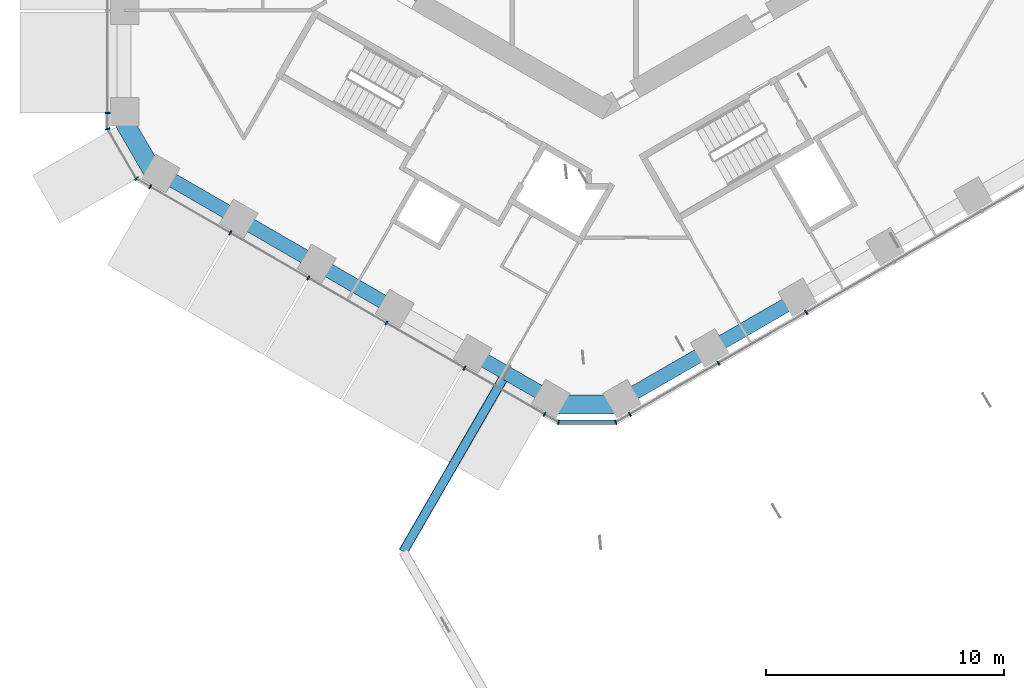
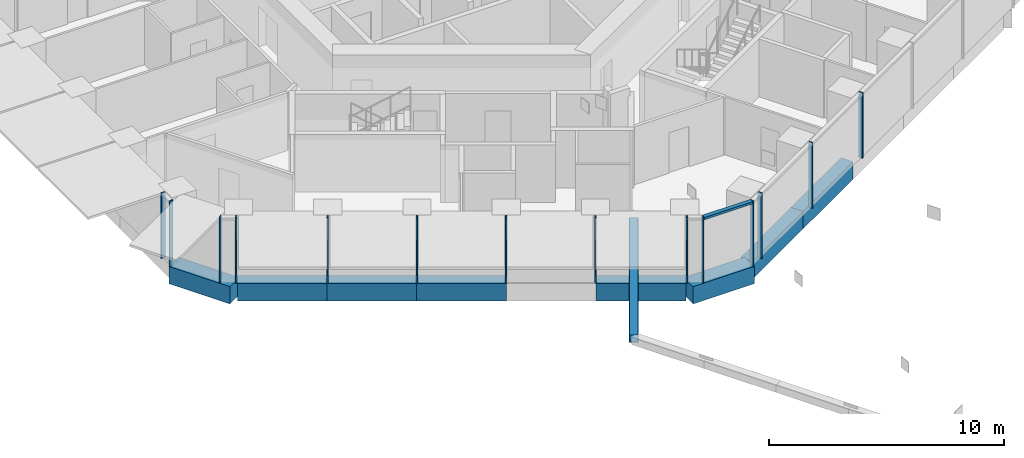
# One storey, part 2 of 22: 16 members, 8 beams, 5 elements without a shape of their own.
"""IFC4 building model written with IfcOpenShell, lengths in metres."""

import ifcopenshell
import ifcopenshell.guid

model = None  # the IFC model being written
_history = None  # IfcOwnerHistory: only IFC2X3 demands one
_inside = {}  # id of a spatial element -> (the spatial element, [elements in it])
_under = {}  # id of a project, library or spatial element -> (it, [spatial elements below it])
_declared = {}  # id of a project -> (the project, [libraries it declares])
_typed = {}  # id of a type object -> (the type object, [elements of that type])
_made_of = {}  # id of a material, layer set ... -> (it, [elements and type objects made of it])


def new_model(schema):
    """Start an empty IFC model of exactly this schema.

    Asked for "IFC4X3", IfcOpenShell would pick the latest addendum, in which some entities
    have other attributes; the version numbers below select the first issue.
    IFC2X3 requires an IfcOwnerHistory on every rooted entity: one is made here for all.
    """
    global model, _history
    if schema == "IFC4X3":
        model = ifcopenshell.file(schema_version=(4, 3, 0, 0))
    else:
        model = ifcopenshell.file(schema=schema)
    _inside.clear()
    _under.clear()
    _declared.clear()
    _typed.clear()
    _made_of.clear()
    _history = None
    if model.schema == "IFC2X3":
        org = make("IfcOrganization", Name="unknown")
        user = make(
            "IfcPersonAndOrganization",
            ThePerson=make("IfcPerson", FamilyName="unknown"),
            TheOrganization=org,
        )
        app = make(
            "IfcApplication",
            ApplicationDeveloper=org,
            Version="unknown",
            ApplicationFullName="unknown",
            ApplicationIdentifier="unknown",
        )
        _history = make(
            "IfcOwnerHistory",
            OwningUser=user,
            OwningApplication=app,
            ChangeAction="ADDED",
            CreationDate=0,
        )
    return model


def make(cls, **values):
    """One entity of the class cls with the attributes given. An attribute that is None is left unset."""
    return model.create_entity(
        cls, **{name: value for name, value in values.items() if value is not None}
    )


def rooted(cls, **values):
    """An entity with a GlobalId (a new one), such as an element, a storey or a relation."""
    return make(cls, GlobalId=ifcopenshell.guid.new(), OwnerHistory=_history, **values)


def si_unit(unit_type, name, prefix=None):
    """IfcSIUnit, for example si_unit("LENGTHUNIT", "METRE", prefix="MILLI")."""
    return make("IfcSIUnit", UnitType=unit_type, Prefix=prefix, Name=name)


def assignment(units):
    """IfcUnitAssignment: the units of a project."""
    return None if units is None else make("IfcUnitAssignment", Units=units)


def point(xyz):
    """IfcCartesianPoint."""
    return None if xyz is None else make("IfcCartesianPoint", Coordinates=xyz)


def direction(xyz):
    """IfcDirection."""
    return None if xyz is None else make("IfcDirection", DirectionRatios=xyz)


def frame(location, z_axis=None, x_axis=None):
    """IfcAxis2Placement3D, a coordinate frame: its origin and axes. An axis left out is left unset."""
    return make(
        "IfcAxis2Placement3D",
        Location=point(location),
        Axis=direction(z_axis),
        RefDirection=direction(x_axis),
    )


def frame_2d(location, x_axis=None):
    """IfcAxis2Placement2D, a coordinate frame in the plane: its origin and x axis."""
    return make(
        "IfcAxis2Placement2D", Location=point(location), RefDirection=direction(x_axis)
    )


def origin():
    """The frame at (0, 0, 0) with its axes left unset."""
    return frame((0.0, 0.0, 0.0))


def origin_2d():
    """The frame at (0, 0) in the plane with its x axis left unset."""
    return frame_2d((0.0, 0.0))


def place(relative_to, where):
    """IfcLocalPlacement: puts the frame where relative to a parent placement (None: the world)."""
    return make(
        "IfcLocalPlacement", PlacementRelTo=relative_to, RelativePlacement=where
    )


def context(
    kind, dimensions, precision=None, world=None, true_north=None, identifier=None
):
    """IfcGeometricRepresentationContext, for example the 3D "Model" context."""
    return make(
        "IfcGeometricRepresentationContext",
        ContextIdentifier=identifier,
        ContextType=kind,
        CoordinateSpaceDimension=dimensions,
        Precision=precision,
        WorldCoordinateSystem=world,
        TrueNorth=true_north,
    )


def subcontext(parent, identifier, kind, view, scale=None):
    """IfcGeometricRepresentationSubContext, for example "Body" below "Model"."""
    return make(
        "IfcGeometricRepresentationSubContext",
        ContextIdentifier=identifier,
        ContextType=kind,
        ParentContext=parent,
        TargetScale=scale,
        TargetView=view,
    )


def project(units=None, contexts=None):
    """IfcProject with its units and contexts."""
    return rooted(
        "IfcProject",
        Name="project",
        RepresentationContexts=contexts,
        UnitsInContext=assignment(units),
    )


def spatial(cls, under=None, at=None, **own):
    """A site, building, storey or space (cls), placed at a placement, below another one or the project."""
    s = rooted(cls, ObjectPlacement=at, **own)
    if under is not None:
        _under.setdefault(under.id(), (under, []))[1].append(s)
    return s


def profile(cls, at=None, kind="AREA", **sizes):
    """A parametric profile (cls). Its sizes go by their IFC names, for example OverallWidth=200.0."""
    return make(cls, ProfileType=kind, Position=at, **sizes)


def rectangle(**sizes):
    """IfcRectangleProfileDef."""
    return profile("IfcRectangleProfileDef", **sizes)


def hollow_rectangle(**sizes):
    """IfcRectangleHollowProfileDef."""
    return profile("IfcRectangleHollowProfileDef", **sizes)


def extrude(swept, where, along, depth):
    """IfcExtrudedAreaSolid: the profile swept, set in the frame where, extruded along a direction by depth."""
    return make(
        "IfcExtrudedAreaSolid",
        SweptArea=swept,
        Position=where,
        ExtrudedDirection=direction(along),
        Depth=depth,
    )


def shape(context_of_items, identifier, shape_type, items):
    """IfcShapeRepresentation: the items that make up one representation, for example the "Body"."""
    return make(
        "IfcShapeRepresentation",
        ContextOfItems=context_of_items,
        RepresentationIdentifier=identifier,
        RepresentationType=shape_type,
        Items=items,
    )


def material(Name=None, Category=None):
    """IfcMaterial."""
    return make("IfcMaterial", Name=Name, Category=Category)


def layer(
    of_material, thickness, ventilated=None, Name=None, Category=None, Priority=None
):
    """IfcMaterialLayer: one layer of a wall or slab, of a material (None: an air gap)."""
    return make(
        "IfcMaterialLayer",
        Material=of_material,
        LayerThickness=thickness,
        IsVentilated=ventilated,
        Name=Name,
        Category=Category,
        Priority=Priority,
    )


def layer_set(layers, Name=None):
    """IfcMaterialLayerSet."""
    return make("IfcMaterialLayerSet", MaterialLayers=layers, LayerSetName=Name)


def material_profile(
    of_material, cross_section, Name=None, Category=None, Priority=None
):
    """IfcMaterialProfile: a cross section and its material."""
    return make(
        "IfcMaterialProfile",
        Name=Name,
        Material=of_material,
        Profile=cross_section,
        Priority=Priority,
        Category=Category,
    )


def profile_set(profiles, Name=None, composite=None):
    """IfcMaterialProfileSet."""
    return make(
        "IfcMaterialProfileSet",
        Name=Name,
        MaterialProfiles=profiles,
        CompositeProfile=composite,
    )


def made_of(thing, what):
    """Note that an element or type object is made of a material, layer set ...; save() writes the relation."""
    if what is not None:
        _made_of.setdefault(what.id(), (what, []))[1].append(thing)
    return thing


def type_object(cls, material=None, **own):
    """A type object (cls), such as IfcWallType, which elements share."""
    return made_of(rooted(cls, **own), material)


def element(
    cls,
    number,
    at=None,
    inside=None,
    cuts=None,
    type_object=None,
    material=None,
    context=None,
    identifier="Body",
    shape_type=None,
    held_by="IfcProductDefinitionShape",
    body=None,
    shapes=None,
    **own,
):
    """One element of the class cls, such as IfcWall. Its Tag is "e" and its number.

    at: its placement. inside: the storey or other place that contains it. cuts: it is an
    opening in that element (IfcRelVoidsElement). A single representation is given by context,
    identifier, shape_type and body (its items); several are given by shapes. held_by: the class
    of the entity that holds the representations. save() writes the other relations.
    """
    e = rooted(cls, Tag="e%d" % number, ObjectPlacement=at, **own)
    if body is not None:
        shapes = [shape(context, identifier, shape_type, body)]
    if shapes is not None:
        e.Representation = make(held_by, Representations=shapes)
    if inside is not None:
        _inside.setdefault(inside.id(), (inside, []))[1].append(e)
    if cuts is not None:
        rooted(
            "IfcRelVoidsElement", RelatingBuildingElement=cuts, RelatedOpeningElement=e
        )
    if type_object is not None:
        _typed.setdefault(type_object.id(), (type_object, []))[1].append(e)
    return made_of(e, material)


def aggregate(whole, parts):
    """IfcRelAggregates: a whole, such as a stair, and the parts it consists of."""
    return rooted("IfcRelAggregates", RelatingObject=whole, RelatedObjects=parts)


def save(model, path):
    """Write the relations noted so far, then the file.

    IfcRelAggregates (storeys below a building ...), IfcRelContainedInSpatialStructure (elements
    in a storey), IfcRelDefinesByType, IfcRelAssociatesMaterial and IfcRelDeclares: one each for
    every whole, place, type object, material and project.
    """
    for whole, parts in _under.values():
        aggregate(whole, parts)
    for where, things in _inside.values():
        rooted(
            "IfcRelContainedInSpatialStructure",
            RelatedElements=things,
            RelatingStructure=where,
        )
    for kind, things in _typed.values():
        rooted("IfcRelDefinesByType", RelatedObjects=things, RelatingType=kind)
    for what, things in _made_of.values():
        rooted("IfcRelAssociatesMaterial", RelatedObjects=things, RelatingMaterial=what)
    for by, libraries in _declared.values():
        rooted("IfcRelDeclares", RelatingContext=by, RelatedDefinitions=libraries)
    model.write(path)


model = new_model("IFC4")

# Units and contexts
model_context = context("Model", 3, precision=1e-05, world=origin(), true_north=direction((0.0, 1.0)))
body_context = subcontext(model_context, "Body", "Model", "MODEL_VIEW")
ifc_project = project(units=[si_unit("LENGTHUNIT", "METRE"), si_unit("AREAUNIT", "SQUARE_METRE"), si_unit("VOLUMEUNIT", "CUBIC_METRE"), si_unit("PLANEANGLEUNIT", "RADIAN"), si_unit("MASSUNIT", "GRAM", prefix="KILO")], contexts=[model_context])

# Site, building, storey
site_placement = place(None, origin())
site = spatial("IfcSite", under=ifc_project, at=site_placement, CompositionType="ELEMENT")
building_placement = place(site_placement, origin())
building = spatial("IfcBuilding", under=site, at=building_placement, Name="Ayvan Gate Tower", CompositionType="ELEMENT")
storey_placement = place(building_placement, frame((0.0, 0.0, 62.89990234375)))
storey = spatial("IfcBuildingStorey", under=building, at=storey_placement, Name="L16", CompositionType="ELEMENT", Elevation=62.89990234375)

# Beams
ifc_material_1 = material(Name="Concrete C40/50", Category="concrete")
ifc_material_profile_1 = material_profile(ifc_material_1, rectangle(XDim=0.800048828125, YDim=0.89990234375, at=origin_2d()), Name="RC 800x900")
ifc_profile_set_1 = profile_set([ifc_material_profile_1], Name="Concrete C40/50")
beam_type_1 = type_object("IfcBeamType", Name="Corner spandrel beam RC 800x900 C40/50", PredefinedType="BEAM", material=ifc_profile_set_1)
for number, where, z_axis, x_axis, name in (
    (1, (-20.336181640625, -10.746826171875, -0.7998046875), (0.499990139034, -0.866031096941, 0.0), (0.866031096941, 0.499990139034, 0.0), "SB-L16-24"),
    (2, (-2.138916015625, -22.985107421875, -0.7998046875), (1.0, 0.0, 0.0), (0.0, 1.0, 0.0), "SB-L16-30"),
):
    element("IfcBeam", number, at=place(storey_placement, frame(where, z_axis=z_axis, x_axis=x_axis)), inside=storey, type_object=beam_type_1, Name=name, PredefinedType="BEAM", context=body_context, shape_type="SweptSolid", body=[
        extrude(rectangle(XDim=0.800048828125, YDim=0.89990234375, at=origin_2d()), origin(), (0.0, 0.0, 1.0), 3.0),
    ])

# Member
ifc_material_2 = material(Name="Steel S460NH", Category="steel")
ifc_material_profile_2 = material_profile(ifc_material_2, hollow_rectangle(XDim=0.39990234375, YDim=0.39990234375, WallThickness=0.02001953125, InnerFilletRadius=0.02001953125, OuterFilletRadius=0.030029296875, at=origin_2d()), Name="RHS 400x400x20")
ifc_profile_set_2 = profile_set([ifc_material_profile_2], Name="Steel S460NH")
member_type_1 = type_object("IfcMemberType", Name="Sky bar truss brace B1 RHS 400x400x20", PredefinedType="BRACE", material=ifc_profile_set_2)
member_1_placement = place(storey_placement, frame((-4.051513671875, -21.660888671875, 2.650146484375), z_axis=(-0.500005737994, -0.866022090927, 0.0), x_axis=(0.866022090927, -0.500005737994, 0.0)))
element("IfcMember", 3, at=member_1_placement, inside=storey, type_object=member_type_1, Name="SBX1-B-BC-1", PredefinedType="CHORD", context=body_context, shape_type="SweptSolid", body=[
    extrude(hollow_rectangle(XDim=0.39990234375, YDim=0.39990234375, WallThickness=0.02001953125, InnerFilletRadius=0.02001953125, OuterFilletRadius=0.030029296875, at=origin_2d()), origin(), (0.0, 0.0, 1.0), 8.6787109375),
])

# Beams
ifc_material_profile_3 = material_profile(ifc_material_1, rectangle(XDim=0.60009765625, YDim=0.89990234375, at=origin_2d()), Name="RC 600x900")
ifc_profile_set_3 = profile_set([ifc_material_profile_3], Name="Concrete C40/50")
beam_type_2 = type_object("IfcBeamType", Name="Spandrel beam RC 600x900 C40/50", PredefinedType="BEAM", material=ifc_profile_set_3)
beam_1_placement = place(storey_placement, frame((-18.645751953125, -13.23486328125, -0.7998046875), z_axis=(0.86602347193, -0.500003346055, 0.0), x_axis=(0.500003346055, 0.86602347193, 0.0)))
element("IfcBeam", 4, at=beam_1_placement, inside=storey, type_object=beam_type_2, Name="SB-L16-25", PredefinedType="BEAM", context=body_context, shape_type="SweptSolid", body=[
    extrude(rectangle(XDim=0.60009765625, YDim=0.89990234375, at=origin_2d()), origin(), (0.0, 0.0, 1.0), 3.81201171875),
])
beam_2_placement = place(storey_placement, frame((-15.344482421875, -15.140869140625, -0.7998046875), z_axis=(0.866039482191, -0.499975614691, 0.0), x_axis=(0.499975614691, 0.866039482191, 0.0)))
element("IfcBeam", 5, at=beam_2_placement, inside=storey, type_object=beam_type_2, Name="SB-L16-26", PredefinedType="BEAM", context=body_context, shape_type="SweptSolid", body=[
    extrude(rectangle(XDim=0.60009765625, YDim=0.89990234375, at=origin_2d()), origin(), (0.0, 0.0, 1.0), 3.812255859375),
])
for number, where, z_axis, x_axis, name in (
    (6, (-12.04296875, -17.046875, -0.7998046875), (0.86599573884, -0.500051377671, 0.0), (0.500051377671, 0.86599573884, 0.0), "SB-L16-27"),
    (7, (-5.440185546875, -20.859130859375, -0.7998046875), (0.86602347193, -0.500003346055, 0.0), (0.500003346055, 0.86602347193, 0.0), "SB-L16-29"),
):
    element("IfcBeam", number, at=place(storey_placement, frame(where, z_axis=z_axis, x_axis=x_axis)), inside=storey, type_object=beam_type_2, Name=name, PredefinedType="BEAM", context=body_context, shape_type="SweptSolid", body=[
        extrude(rectangle(XDim=0.60009765625, YDim=0.89990234375, at=origin_2d()), origin(), (0.0, 0.0, 1.0), 3.81201171875),
    ])
beam_3_placement = place(storey_placement, frame((0.861083984375, -22.76513671875, -0.7998046875), z_axis=(0.866024102175, 0.500002254446, 0.0), x_axis=(-0.500002254446, 0.866024102175, 0.0)))
element("IfcBeam", 8, at=beam_3_placement, inside=storey, type_object=beam_type_2, Name="SB-L16-31", PredefinedType="BEAM", context=body_context, shape_type="SweptSolid", body=[
    extrude(rectangle(XDim=0.60009765625, YDim=0.89990234375, at=origin_2d()), origin(), (0.0, 0.0, 1.0), 4.2548828125),
])
beam_4_placement = place(storey_placement, frame((4.5458984375, -20.6376953125, -0.7998046875), z_axis=(0.866034603873, 0.49998406464, 0.0), x_axis=(-0.49998406464, 0.866034603873, 0.0)))
element("IfcBeam", 9, at=beam_4_placement, inside=storey, type_object=beam_type_2, Name="SB-L16-32", PredefinedType="BEAM", context=body_context, shape_type="SweptSolid", body=[
    extrude(rectangle(XDim=0.60009765625, YDim=0.89990234375, at=origin_2d()), origin(), (0.0, 0.0, 1.0), 4.254638671875),
])

# Curtain wall, member
ifc_material_3 = material(Name="Bronze anodised aluminium", Category="aluminium")
ifc_layer_1 = layer(ifc_material_3, 0.199951171875)
ifc_layer_set_1 = layer_set([ifc_layer_1], Name="Bronze anodised aluminium")
curtain_wall_type_1 = type_object("IfcCurtainWallType", Name="Stick curtain wall CW-1", PredefinedType="NOTDEFINED", material=ifc_layer_set_1)
curtain_wall_1_placement = place(storey_placement, origin())
curtain_wall_1 = element("IfcCurtainWall", 10, at=curtain_wall_1_placement, inside=storey, type_object=curtain_wall_type_1, Name="Stick curtain wall CW-1 L16", PredefinedType="NOTDEFINED")
ifc_material_profile_4 = material_profile(ifc_material_3, rectangle(XDim=0.199951171875, YDim=0.06005859375, at=origin_2d()), Name="Stick curtain wall CW-1 mullion 200 x 60")
ifc_profile_set_4 = profile_set([ifc_material_profile_4], Name="Bronze anodised aluminium")
member_type_2 = type_object("IfcMemberType", Name="Stick curtain wall CW-1 mullion 200 x 60", PredefinedType="MULLION", material=ifc_profile_set_4)
member_2_placement = place(storey_placement, frame((-20.831787109375, -10.70703125, 0.0), z_axis=(0.0, 0.0, 1.0), x_axis=(-1.0, 0.0, 0.0)))
member_2 = element("IfcMember", 11, at=member_2_placement, type_object=member_type_2, Name="CW-1 mullion 6", PredefinedType="MULLION", context=body_context, shape_type="SweptSolid", body=[
    extrude(rectangle(XDim=0.199951171875, YDim=0.06005859375, at=origin_2d()), origin(), (0.0, 0.0, 1.0), 3.400146484375),
])
aggregate(curtain_wall_1, [member_2])

# Curtain wall, members
curtain_wall_2_placement = place(storey_placement, origin())
curtain_wall_2 = element("IfcCurtainWall", 12, at=curtain_wall_2_placement, inside=storey, type_object=curtain_wall_type_1, Name="Stick curtain wall CW-1 L16", PredefinedType="NOTDEFINED")
member_3_placement = place(storey_placement, frame((-19.03564453125, -13.818115234375, 0.0), z_axis=(0.0, 0.0, 1.0), x_axis=(-0.5, -0.866025403784, 0.0)))
member_3 = element("IfcMember", 13, at=member_3_placement, type_object=member_type_2, Name="CW-1 mullion 1", PredefinedType="MULLION", context=body_context, shape_type="SweptSolid", body=[
    extrude(rectangle(XDim=0.199951171875, YDim=0.06005859375, at=origin_2d()), origin(), (0.0, 0.0, 1.0), 3.400146484375),
])
member_4_placement = place(storey_placement, frame((-15.66845703125, -15.761962890625, 0.0), z_axis=(0.0, 0.0, 1.0), x_axis=(-0.5, -0.866025403784, 0.0)))
member_4 = element("IfcMember", 14, at=member_4_placement, type_object=member_type_2, Name="CW-1 mullion 2", PredefinedType="MULLION", context=body_context, shape_type="SweptSolid", body=[
    extrude(rectangle(XDim=0.199951171875, YDim=0.06005859375, at=origin_2d()), origin(), (0.0, 0.0, 1.0), 3.400146484375),
])
member_5_placement = place(storey_placement, frame((-12.384521484375, -17.657958984375, 0.0), z_axis=(0.0, 0.0, 1.0), x_axis=(-0.5, -0.866025403784, 0.0)))
member_5 = element("IfcMember", 15, at=member_5_placement, type_object=member_type_2, Name="CW-1 mullion 3", PredefinedType="MULLION", context=body_context, shape_type="SweptSolid", body=[
    extrude(rectangle(XDim=0.199951171875, YDim=0.06005859375, at=origin_2d()), origin(), (0.0, 0.0, 1.0), 3.400146484375),
])
member_6_placement = place(storey_placement, frame((-9.1005859375, -19.553955078125, 0.0), z_axis=(0.0, 0.0, 1.0), x_axis=(-0.5, -0.866025403784, 0.0)))
member_6 = element("IfcMember", 16, at=member_6_placement, type_object=member_type_2, Name="CW-1 mullion 4", PredefinedType="MULLION", context=body_context, shape_type="SweptSolid", body=[
    extrude(rectangle(XDim=0.199951171875, YDim=0.06005859375, at=origin_2d()), origin(), (0.0, 0.0, 1.0), 3.400146484375),
])
member_7_placement = place(storey_placement, frame((-5.816650390625, -21.449951171875, 0.0), z_axis=(0.0, 0.0, 1.0), x_axis=(-0.5, -0.866025403784, 0.0)))
member_7 = element("IfcMember", 17, at=member_7_placement, type_object=member_type_2, Name="CW-1 mullion 5", PredefinedType="MULLION", context=body_context, shape_type="SweptSolid", body=[
    extrude(rectangle(XDim=0.199951171875, YDim=0.06005859375, at=origin_2d()), origin(), (0.0, 0.0, 1.0), 3.400146484375),
])
member_8_placement = place(storey_placement, frame((-2.448974609375, -23.394287109375, 0.0), z_axis=(0.0, 0.0, 1.0), x_axis=(-0.5, -0.866025403784, 0.0)))
member_8 = element("IfcMember", 18, at=member_8_placement, type_object=member_type_2, Name="CW-1 mullion 6", PredefinedType="MULLION", context=body_context, shape_type="SweptSolid", body=[
    extrude(rectangle(XDim=0.199951171875, YDim=0.06005859375, at=origin_2d()), origin(), (0.0, 0.0, 1.0), 3.400146484375),
])
aggregate(curtain_wall_2, [member_3, member_4, member_5, member_6, member_7, member_8])

curtain_wall_3_placement = place(storey_placement, origin())
curtain_wall_3 = element("IfcCurtainWall", 19, at=curtain_wall_3_placement, inside=storey, type_object=curtain_wall_type_1, Name="Stick curtain wall CW-1 L16", PredefinedType="NOTDEFINED")
member_9_placement = place(storey_placement, frame((1.143310546875, -23.394287109375, 0.0), z_axis=(0.0, 0.0, 1.0), x_axis=(0.5, -0.866025403784, 0.0)))
member_9 = element("IfcMember", 20, at=member_9_placement, type_object=member_type_2, Name="CW-1 mullion 1", PredefinedType="MULLION", context=body_context, shape_type="SweptSolid", body=[
    extrude(rectangle(XDim=0.199951171875, YDim=0.06005859375, at=origin_2d()), origin(), (0.0, 0.0, 1.0), 3.400146484375),
])
member_10_placement = place(storey_placement, frame((4.8759765625, -21.2392578125, 0.0), z_axis=(0.0, 0.0, 1.0), x_axis=(0.5, -0.866025403784, 0.0)))
member_10 = element("IfcMember", 21, at=member_10_placement, type_object=member_type_2, Name="CW-1 mullion 2", PredefinedType="MULLION", context=body_context, shape_type="SweptSolid", body=[
    extrude(rectangle(XDim=0.199951171875, YDim=0.06005859375, at=origin_2d()), origin(), (0.0, 0.0, 1.0), 3.400146484375),
])
member_11_placement = place(storey_placement, frame((8.569580078125, -19.10693359375, 0.0), z_axis=(0.0, 0.0, 1.0), x_axis=(0.5, -0.866025403784, 0.0)))
member_11 = element("IfcMember", 22, at=member_11_placement, type_object=member_type_2, Name="CW-1 mullion 3", PredefinedType="MULLION", context=body_context, shape_type="SweptSolid", body=[
    extrude(rectangle(XDim=0.199951171875, YDim=0.06005859375, at=origin_2d()), origin(), (0.0, 0.0, 1.0), 3.400146484375),
])
aggregate(curtain_wall_3, [member_9, member_10, member_11])

ifc_layer_2 = layer(ifc_material_3, 0.199951171875)
ifc_layer_set_2 = layer_set([ifc_layer_2], Name="Bronze anodised aluminium")
curtain_wall_type_2 = type_object("IfcCurtainWallType", Name="Stick curtain wall CW-6", PredefinedType="NOTDEFINED", material=ifc_layer_set_2)
curtain_wall_4_placement = place(storey_placement, origin())
curtain_wall_4 = element("IfcCurtainWall", 23, at=curtain_wall_4_placement, inside=storey, type_object=curtain_wall_type_2, Name="Stick curtain wall CW-6 L16", PredefinedType="NOTDEFINED")
ifc_material_profile_5 = material_profile(ifc_material_3, rectangle(XDim=0.199951171875, YDim=0.050048828125, at=origin_2d()), Name="Stick curtain wall CW-6 mullion 200 x 50")
ifc_profile_set_5 = profile_set([ifc_material_profile_5], Name="Bronze anodised aluminium")
member_type_3 = type_object("IfcMemberType", Name="Stick curtain wall CW-6 mullion 200 x 50", PredefinedType="MULLION", material=ifc_profile_set_5)
member_12_placement = place(storey_placement, frame((-20.831787109375, -11.386962890625, 0.0), z_axis=(0.0, 0.0, 1.0), x_axis=(-0.965925826289, -0.258819045103, 0.0)))
member_12 = element("IfcMember", 24, at=member_12_placement, type_object=member_type_3, Name="CW-6 mullion 2", PredefinedType="MULLION", context=body_context, shape_type="SweptSolid", body=[
    extrude(rectangle(XDim=0.199951171875, YDim=0.050048828125, at=origin_2d()), origin(), (0.0, 0.0, 1.0), 3.400146484375),
])
member_13_placement = place(storey_placement, frame((-19.62451171875, -13.47802734375, 0.0), z_axis=(0.0, 0.0, 1.0), x_axis=(-0.707106781187, -0.707106781187, 0.0)))
member_13 = element("IfcMember", 25, at=member_13_placement, type_object=member_type_3, Name="CW-6 mullion 3", PredefinedType="MULLION", context=body_context, shape_type="SweptSolid", body=[
    extrude(rectangle(XDim=0.199951171875, YDim=0.050048828125, at=origin_2d()), origin(), (0.0, 0.0, 1.0), 3.400146484375),
])
aggregate(curtain_wall_4, [member_12, member_13])

curtain_wall_5_placement = place(storey_placement, origin())
curtain_wall_5 = element("IfcCurtainWall", 26, at=curtain_wall_5_placement, inside=storey, type_object=curtain_wall_type_2, Name="Stick curtain wall CW-6 L16", PredefinedType="NOTDEFINED")
member_14_placement = place(storey_placement, frame((-1.860107421875, -23.734375, 0.0), z_axis=(0.0, 0.0, 1.0), x_axis=(-0.258819045103, -0.965925826289, 0.0)))
member_14 = element("IfcMember", 27, at=member_14_placement, type_object=member_type_3, Name="CW-6 mullion 2", PredefinedType="MULLION", context=body_context, shape_type="SweptSolid", body=[
    extrude(rectangle(XDim=0.199951171875, YDim=0.050048828125, at=origin_2d()), origin(), (0.0, 0.0, 1.0), 3.400146484375),
])
member_15_placement = place(storey_placement, frame((0.554443359375, -23.734375, 0.0), z_axis=(0.0, 0.0, 1.0), x_axis=(0.258819045103, -0.965925826289, 0.0)))
member_15 = element("IfcMember", 28, at=member_15_placement, type_object=member_type_3, Name="CW-6 mullion 3", PredefinedType="MULLION", context=body_context, shape_type="SweptSolid", body=[
    extrude(rectangle(XDim=0.199951171875, YDim=0.050048828125, at=origin_2d()), origin(), (0.0, 0.0, 1.0), 3.400146484375),
])
ifc_material_profile_6 = material_profile(ifc_material_3, rectangle(XDim=0.199951171875, YDim=0.1201171875, at=origin_2d()), Name="Stick curtain wall CW-6 transom 200 x 120")
ifc_profile_set_6 = profile_set([ifc_material_profile_6], Name="Bronze anodised aluminium")
member_type_4 = type_object("IfcMemberType", Name="Stick curtain wall CW-6 transom 200 x 120", PredefinedType="USERDEFINED", material=ifc_profile_set_6)
member_16_placement = place(storey_placement, frame((-1.835205078125, -23.734375, 3.340087890625), z_axis=(1.0, 0.0, 0.0), x_axis=(0.0, 1.0, 0.0)))
member_16 = element("IfcMember", 29, at=member_16_placement, type_object=member_type_4, Name="CW-6 transom 2", ObjectType="TRANSOM", PredefinedType="USERDEFINED", context=body_context, shape_type="SweptSolid", body=[
    extrude(rectangle(XDim=0.199951171875, YDim=0.1201171875, at=origin_2d()), origin(), (0.0, 0.0, 1.0), 2.36474609375),
])
aggregate(curtain_wall_5, [member_14, member_15, member_16])

save(model, "model.ifc")
